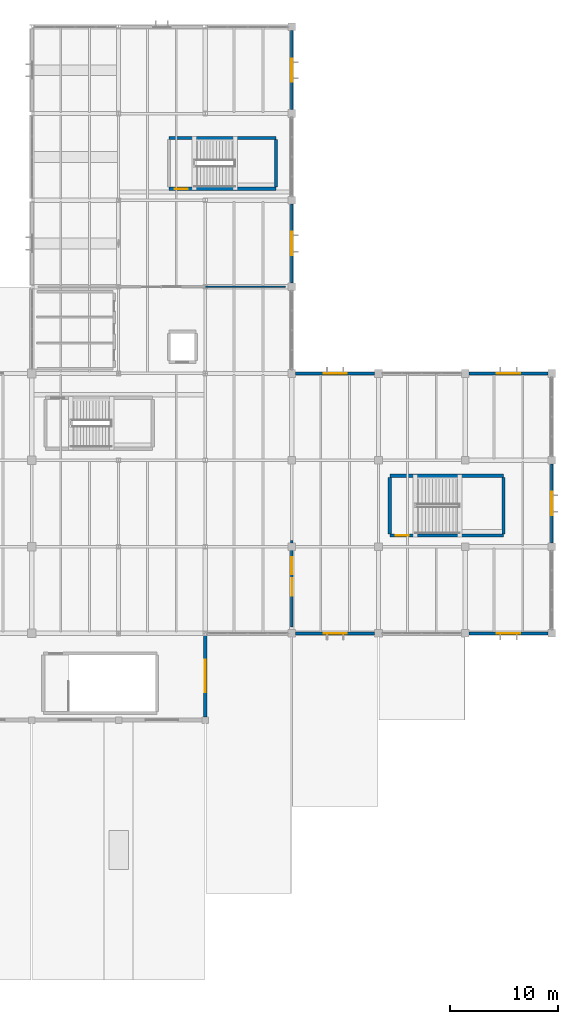
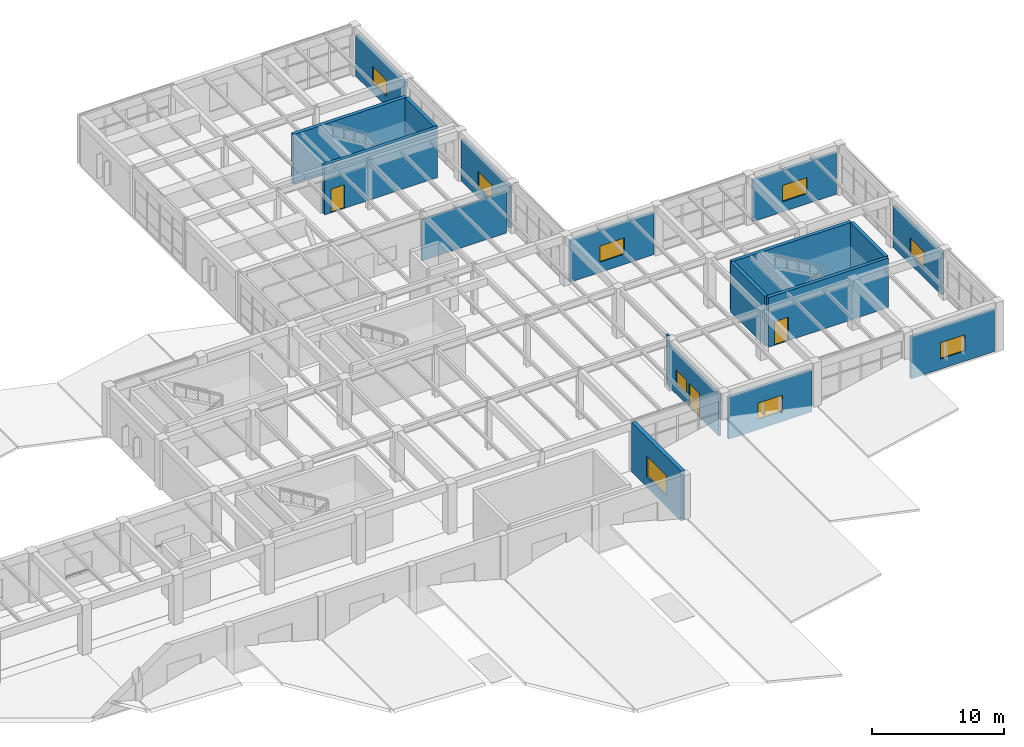
# One storey, part 47 of 60: 18 walls, 9 windows, 3 doors, 12 openings.
"""IFC4 building model written with IfcOpenShell, lengths in metres."""

from ifc_helpers import new_model, si_unit, direction, frame, frame_2d, origin, place, context, subcontext, project, spatial, rectangle, extrude, material, layer, layer_set, type_object, element, fill, save


model = new_model("IFC4")

# Units and contexts
model_context = context("Model", 3, precision=1e-05, world=origin(), true_north=direction((0.0, 1.0)))
body_context = subcontext(model_context, "Body", "Model", "MODEL_VIEW")
ifc_project = project(units=[si_unit("LENGTHUNIT", "METRE"), si_unit("AREAUNIT", "SQUARE_METRE"), si_unit("VOLUMEUNIT", "CUBIC_METRE"), si_unit("PLANEANGLEUNIT", "RADIAN"), si_unit("MASSUNIT", "GRAM", prefix="KILO")], contexts=[model_context])

# Site, building, storey
site_placement = place(None, origin())
site = spatial("IfcSite", under=ifc_project, at=site_placement, CompositionType="ELEMENT")
building_placement = place(site_placement, origin())
building = spatial("IfcBuilding", under=site, at=building_placement, Name="Varnela Railside Interchange", CompositionType="ELEMENT")
storey_placement = place(building_placement, frame((0.0, 0.0, 6.300048828125)))
storey = spatial("IfcBuildingStorey", under=building, at=storey_placement, Name="L01", CompositionType="ELEMENT", Elevation=6.300048828125)

# Wall, opening, window
ifc_material_1 = material(Name="Concrete C40 precast", Category="concrete")
ifc_layer_1 = layer(ifc_material_1, 0.35009765625)
ifc_layer_set_1 = layer_set([ifc_layer_1], Name="Concrete C40 precast")
wall_type_1 = type_object("IfcWallType", Name="Bus Deck Acoustic Concrete Wall EW-04", PredefinedType="STANDARD", material=ifc_layer_set_1)
wall_1_placement = place(storey_placement, frame((132.0, 37.806396484375, 0.0), z_axis=(0.0, 0.0, 1.0), x_axis=(0.0, -1.0, 0.0)))
wall_1 = element("IfcWall", 1, at=wall_1_placement, inside=storey, type_object=wall_type_1, Name="Bus Deck Acoustic Concrete Wall EW-04 (L01) (WL-0535)", PredefinedType="STANDARD", context=body_context, shape_type="SweptSolid", body=[
    extrude(rectangle(XDim=7.50634765625, YDim=0.35009765625, at=frame_2d((3.753173828125, 0.0))), origin(), (0.0, 0.0, 1.0), 4.599853515625),
])
opening_1_placement = place(wall_1_placement, frame((2.253173828125, 0.0, 0.949951171875)))
opening_1 = element("IfcOpeningElement", 2, at=opening_1_placement, cuts=wall_1, Name="Opening W-046", PredefinedType="OPENING", context=body_context, shape_type="SweptSolid", body=[
    extrude(rectangle(XDim=3.0, YDim=1.89990234375, at=frame_2d((1.5, 0.949951171875))), frame((0.0, 0.18505859375, 0.0), z_axis=(0.0, -1.0, 0.0), x_axis=(1.0, 0.0, 0.0)), (0.0, 0.0, 1.0), 0.3701171875),
])
ifc_material_2 = material(Name="Glass laminated double", Category="glass")
window_type_1 = type_object("IfcWindowType", Name="Bus Overlook Picture Window WN-07", PartitioningType="SINGLE_PANEL", PredefinedType="WINDOW", material=ifc_material_2)
window_1_placement = place(opening_1_placement, origin())
window_1 = element("IfcWindow", 3, at=window_1_placement, inside=storey, type_object=window_type_1, Name="Window W-046", OverallHeight=1.89990234375, OverallWidth=3.0, PartitioningType="SINGLE_PANEL", PredefinedType="WINDOW", context=body_context, shape_type="SweptSolid", body=[
    extrude(rectangle(XDim=3.0, YDim=1.89990234375, at=frame_2d((1.5, 0.949951171875))), frame((0.0, 0.030029296875, 0.0), z_axis=(0.0, -1.0, 0.0), x_axis=(1.0, 0.0, 0.0)), (0.0, 0.0, 1.0), 0.06005859375),
])
fill(opening_1, window_1)

# Wall, openings, door, window
ifc_material_3 = material(Name="Gypsum acoustic board")
ifc_layer_2 = layer(ifc_material_3, 0.179931640625)
ifc_layer_set_2 = layer_set([ifc_layer_2], Name="Gypsum acoustic board")
wall_type_2 = type_object("IfcWallType", Name="Double-Stud Corridor Wall IW-02", PredefinedType="PARTITIONING", material=ifc_layer_set_2)
wall_2_placement = place(storey_placement, frame((140.0, 38.60009765625, 0.0), z_axis=(0.0, 0.0, 1.0), x_axis=(0.0, 1.0, 0.0)))
wall_2 = element("IfcWall", 4, at=wall_2_placement, inside=storey, type_object=wall_type_2, Name="Double-Stud Corridor Wall IW-02 (L01) (WL-0553)", PredefinedType="PARTITIONING", context=body_context, shape_type="SweptSolid", body=[
    extrude(rectangle(XDim=7.75, YDim=0.199951171875, at=frame_2d((3.875, 0.0))), origin(), (0.0, 0.0, 1.0), 3.849853515625),
])
opening_2_placement = place(wall_2_placement, frame((2.89990234375, 0.0, 0.0)))
opening_2 = element("IfcOpeningElement", 5, at=opening_2_placement, cuts=wall_2, Name="Opening D-204", PredefinedType="OPENING", context=body_context, shape_type="SweptSolid", body=[
    extrude(rectangle(XDim=1.60009765625, YDim=2.199951171875, at=frame_2d((0.800048828125, 1.10009765625))), frame((0.0, 0.10986328125, 0.0), z_axis=(0.0, -1.0, 0.0), x_axis=(1.0, 0.0, 0.0)), (0.0, 0.0, 1.0), 0.219970703125),
])
opening_3_placement = place(wall_2_placement, frame((4.85009765625, 0.0, 0.949951171875)))
opening_3 = element("IfcOpeningElement", 6, at=opening_3_placement, cuts=wall_2, Name="Opening IW-007", PredefinedType="OPENING", context=body_context, shape_type="SweptSolid", body=[
    extrude(rectangle(XDim=1.60009765625, YDim=1.300048828125, at=frame_2d((0.800048828125, 0.64990234375))), frame((0.0, 0.10986328125, 0.0), z_axis=(0.0, -1.0, 0.0), x_axis=(1.0, 0.0, 0.0)), (0.0, 0.0, 1.0), 0.219970703125),
])
door_type_1 = type_object("IfcDoorType", Name="DR-DBL-1600", OperationType="DOUBLE_DOOR_SINGLE_SWING", PredefinedType="DOOR", material=ifc_material_2)
door_1_placement = place(opening_2_placement, origin())
door_1 = element("IfcDoor", 7, at=door_1_placement, inside=storey, type_object=door_type_1, Name="Door D-204", OperationType="DOUBLE_DOOR_SINGLE_SWING", OverallHeight=2.199951171875, OverallWidth=1.60009765625, PredefinedType="DOOR", context=body_context, shape_type="SweptSolid", body=[
    extrude(rectangle(XDim=1.60009765625, YDim=2.199951171875, at=frame_2d((0.800048828125, 1.10009765625))), frame((0.0, 0.02490234375, 0.0), z_axis=(0.0, -1.0, 0.0), x_axis=(1.0, 0.0, 0.0)), (0.0, 0.0, 1.0), 0.050048828125),
])
fill(opening_2, door_1)
window_type_2 = type_object("IfcWindowType", Name="Interior Acoustic Vision Window IW-WN1", PartitioningType="SINGLE_PANEL", PredefinedType="WINDOW", material=ifc_material_2)
window_2_placement = place(opening_3_placement, origin())
window_2 = element("IfcWindow", 8, at=window_2_placement, inside=storey, type_object=window_type_2, Name="Window IW-007", OverallHeight=1.300048828125, OverallWidth=1.60009765625, PartitioningType="SINGLE_PANEL", PredefinedType="WINDOW", context=body_context, shape_type="SweptSolid", body=[
    extrude(rectangle(XDim=1.60009765625, YDim=1.300048828125, at=frame_2d((0.800048828125, 0.64990234375))), frame((0.0, 0.030029296875, 0.0), z_axis=(0.0, -1.0, 0.0), x_axis=(1.0, 0.0, 0.0)), (0.0, 0.0, 1.0), 0.06005859375),
])
fill(opening_3, window_2)

# Walls
wall_3_placement = place(storey_placement, frame((140.0, 46.35009765625, 0.0), z_axis=(0.0, 0.0, 1.0), x_axis=(0.0, 1.0, 0.0)))
element("IfcWall", 9, at=wall_3_placement, inside=storey, type_object=wall_type_2, Name="Double-Stud Corridor Wall IW-02 (L01) (WL-0554)", PredefinedType="PARTITIONING", context=body_context, shape_type="SweptSolid", body=[
    extrude(rectangle(XDim=0.25, YDim=0.199951171875, at=frame_2d((0.125, 0.0))), origin(), (0.0, 0.0, 1.0), 4.599853515625),
])
ifc_layer_3 = layer(ifc_material_2, 0.1201171875)
ifc_layer_set_3 = layer_set([ifc_layer_3], Name="Glass laminated double")
wall_type_3 = type_object("IfcWallType", Name="Glazed Operations Partition IW-03", PredefinedType="PARTITIONING", material=ifc_layer_set_3)
wall_4_placement = place(storey_placement, frame((132.0, 70.0, 0.0), z_axis=(0.0, 0.0, 1.0), x_axis=(1.0, 0.0, 0.0)))
element("IfcWall", 10, at=wall_4_placement, inside=storey, type_object=wall_type_3, Name="Glazed Operations Partition IW-03 (L01) (WL-0562)", PredefinedType="PARTITIONING", context=body_context, shape_type="SweptSolid", body=[
    extrude(rectangle(XDim=7.39990234375, YDim=0.1201171875, at=frame_2d((3.699951171875, 0.0))), origin(), (0.0, 0.0, 1.0), 3.849853515625),
])
ifc_material_4 = material(Name="Concrete C50", Category="concrete")
ifc_layer_4 = layer(ifc_material_4, 0.300048828125)
ifc_layer_set_4 = layer_set([ifc_layer_4], Name="Concrete C50")
wall_type_4 = type_object("IfcWallType", Name="Stair & Lift Shaft Wall SW-03", PredefinedType="SHEAR", material=ifc_layer_set_4)
wall_5_placement = place(storey_placement, frame((128.64990234375, 83.75, 0.0), z_axis=(0.0, 0.0, 1.0), x_axis=(1.0, 0.0, 0.0)))
element("IfcWall", 11, at=wall_5_placement, inside=storey, type_object=wall_type_4, Name="Stair & Lift Shaft Wall SW-03 (L01) (WL-0606)", PredefinedType="SHEAR", context=body_context, shape_type="SweptSolid", body=[
    extrude(rectangle(XDim=9.900146484375, YDim=0.300048828125, at=frame_2d((4.9501953125, 0.0))), origin(), (0.0, 0.0, 1.0), 4.599853515625),
])

# Wall, opening, door
wall_6_placement = place(storey_placement, frame((128.64990234375, 79.050048828125, 0.0), z_axis=(0.0, 0.0, 1.0), x_axis=(1.0, 0.0, 0.0)))
wall_6 = element("IfcWall", 12, at=wall_6_placement, inside=storey, type_object=wall_type_4, Name="Stair & Lift Shaft Wall SW-03 (L01) (WL-0607)", PredefinedType="SHEAR", context=body_context, shape_type="SweptSolid", body=[
    extrude(rectangle(XDim=9.900146484375, YDim=0.300048828125, at=frame_2d((4.9501953125, 0.0))), origin(), (0.0, 0.0, 1.0), 4.599853515625),
])
opening_4_placement = place(wall_6_placement, frame((0.550048828125, 0.0, 0.0)))
opening_4 = element("IfcOpeningElement", 13, at=opening_4_placement, cuts=wall_6, Name="Opening D-188", PredefinedType="OPENING", context=body_context, shape_type="SweptSolid", body=[
    extrude(rectangle(XDim=1.199951171875, YDim=2.199951171875, at=frame_2d((0.60009765625, 1.10009765625))), frame((0.0, 0.159912109375, 0.0), z_axis=(0.0, -1.0, 0.0), x_axis=(1.0, 0.0, 0.0)), (0.0, 0.0, 1.0), 0.320068359375),
])
ifc_material_5 = material(Name="Steel AR 350 (350 MPa)", Category="steel")
door_type_2 = type_object("IfcDoorType", Name="DR-SGL-1200-FD90", OperationType="NOTDEFINED", PredefinedType="DOOR", material=ifc_material_5)
door_2_placement = place(opening_4_placement, origin())
door_2 = element("IfcDoor", 14, at=door_2_placement, inside=storey, type_object=door_type_2, Name="Door D-188", OperationType="SINGLE_SWING_RIGHT", OverallHeight=2.199951171875, OverallWidth=1.199951171875, PredefinedType="DOOR", context=body_context, shape_type="SweptSolid", body=[
    extrude(rectangle(XDim=1.199951171875, YDim=2.199951171875, at=frame_2d((0.60009765625, 1.10009765625))), frame((0.0, 0.02490234375, 0.0), z_axis=(0.0, -1.0, 0.0), x_axis=(1.0, 0.0, 0.0)), (0.0, 0.0, 1.0), 0.050048828125),
])
fill(opening_4, door_2)

# Walls
wall_7_placement = place(storey_placement, frame((138.550048828125, 79.199951171875, 0.0), z_axis=(0.0, 0.0, 1.0), x_axis=(0.0, 1.0, 0.0)))
element("IfcWall", 15, at=wall_7_placement, inside=storey, type_object=wall_type_4, Name="Stair & Lift Shaft Wall SW-03 (L01) (WL-0605)", PredefinedType="SHEAR", context=body_context, shape_type="SweptSolid", body=[
    extrude(rectangle(XDim=4.400146484375, YDim=0.300048828125, at=frame_2d((2.2001953125, 0.0))), origin(), (0.0, 0.0, 1.0), 4.599853515625),
])
wall_8_placement = place(storey_placement, frame((149.050048828125, 52.550048828125, 0.0), z_axis=(0.0, 0.0, 1.0), x_axis=(1.0, 0.0, 0.0)))
element("IfcWall", 16, at=wall_8_placement, inside=storey, type_object=wall_type_4, Name="Stair & Lift Shaft Wall SW-03 (L01) (WL-0610)", PredefinedType="SHEAR", context=body_context, shape_type="SweptSolid", body=[
    extrude(rectangle(XDim=10.5, YDim=0.300048828125, at=frame_2d((5.25, 0.0))), origin(), (0.0, 0.0, 1.0), 4.599853515625),
])

# Wall, opening, door
wall_9_placement = place(storey_placement, frame((149.050048828125, 47.050048828125, 0.0), z_axis=(0.0, 0.0, 1.0), x_axis=(1.0, 0.0, 0.0)))
wall_9 = element("IfcWall", 17, at=wall_9_placement, inside=storey, type_object=wall_type_4, Name="Stair & Lift Shaft Wall SW-03 (L01) (WL-0611)", PredefinedType="SHEAR", context=body_context, shape_type="SweptSolid", body=[
    extrude(rectangle(XDim=10.5, YDim=0.300048828125, at=frame_2d((5.25, 0.0))), origin(), (0.0, 0.0, 1.0), 4.599853515625),
])
opening_5_placement = place(wall_9_placement, frame((0.550048828125, 0.0, 0.0)))
opening_5 = element("IfcOpeningElement", 18, at=opening_5_placement, cuts=wall_9, Name="Opening D-189", PredefinedType="OPENING", context=body_context, shape_type="SweptSolid", body=[
    extrude(rectangle(XDim=1.199951171875, YDim=2.199951171875, at=frame_2d((0.60009765625, 1.10009765625))), frame((0.0, 0.159912109375, 0.0), z_axis=(0.0, -1.0, 0.0), x_axis=(1.0, 0.0, 0.0)), (0.0, 0.0, 1.0), 0.320068359375),
])
door_3_placement = place(opening_5_placement, origin())
door_3 = element("IfcDoor", 19, at=door_3_placement, inside=storey, type_object=door_type_2, Name="Door D-189", OperationType="SINGLE_SWING_LEFT", OverallHeight=2.199951171875, OverallWidth=1.199951171875, PredefinedType="DOOR", context=body_context, shape_type="SweptSolid", body=[
    extrude(rectangle(XDim=1.199951171875, YDim=2.199951171875, at=frame_2d((0.60009765625, 1.10009765625))), frame((0.0, 0.02490234375, 0.0), z_axis=(0.0, -1.0, 0.0), x_axis=(1.0, 0.0, 0.0)), (0.0, 0.0, 1.0), 0.050048828125),
])
fill(opening_5, door_3)

# Walls
for number, where, z_axis, x_axis, name in (
    (20, (149.050048828125, 47.199951171875, 0.0), (0.0, 0.0, 1.0), (0.0, 1.0, 0.0), "Stair & Lift Shaft Wall SW-03 (L01) (WL-0612)"),
    (21, (159.550048828125, 47.199951171875, 0.0), (0.0, 0.0, 1.0), (0.0, 1.0, 0.0), "Stair & Lift Shaft Wall SW-03 (L01) (WL-0609)"),
):
    element("IfcWall", number, at=place(storey_placement, frame(where, z_axis=z_axis, x_axis=x_axis)), inside=storey, type_object=wall_type_4, Name=name, PredefinedType="SHEAR", context=body_context, shape_type="SweptSolid", body=[
        extrude(rectangle(XDim=5.199951171875, YDim=0.300048828125, at=frame_2d((2.60009765625, 0.0))), origin(), (0.0, 0.0, 1.0), 4.599853515625),
    ])

# Wall, opening, window
ifc_layer_5 = layer(ifc_material_1, 0.260009765625)
ifc_layer_set_5 = layer_set([ifc_layer_5], Name="Concrete C40 precast")
wall_type_5 = type_object("IfcWallType", Name="Terracotta Precast Study Facade Wall EW-03", PredefinedType="STANDARD", material=ifc_layer_set_5)
wall_10_placement = place(storey_placement, frame((140.0, 93.64990234375, 0.0), z_axis=(0.0, 0.0, 1.0), x_axis=(0.0, -1.0, 0.0)))
wall_10 = element("IfcWall", 22, at=wall_10_placement, inside=storey, type_object=wall_type_5, Name="Terracotta Precast Study Facade Wall EW-03 (L01) (WL-0528)", PredefinedType="STANDARD", context=body_context, shape_type="SweptSolid", body=[
    extrude(rectangle(XDim=7.2998046875, YDim=0.260009765625, at=frame_2d((3.64990234375, 0.0))), origin(), (0.0, 0.0, 1.0), 3.849853515625),
])
opening_6_placement = place(wall_10_placement, frame((2.574951171875, 0.0, 0.949951171875)))
opening_6 = element("IfcOpeningElement", 23, at=opening_6_placement, cuts=wall_10, Name="Opening W-039", PredefinedType="OPENING", context=body_context, shape_type="SweptSolid", body=[
    extrude(rectangle(XDim=2.14990234375, YDim=1.5, at=frame_2d((1.074951171875, 0.75))), frame((0.0, 0.139892578125, 0.0), z_axis=(0.0, -1.0, 0.0), x_axis=(1.0, 0.0, 0.0)), (0.0, 0.0, 1.0), 0.280029296875),
])
window_type_3 = type_object("IfcWindowType", Name="Cycle Workshop Louvre Win WN-22", PartitioningType="SINGLE_PANEL", PredefinedType="WINDOW", material=ifc_material_2)
window_3_placement = place(opening_6_placement, origin())
window_3 = element("IfcWindow", 24, at=window_3_placement, inside=storey, type_object=window_type_3, Name="Window W-039", OverallHeight=1.5, OverallWidth=2.14990234375, PartitioningType="SINGLE_PANEL", PredefinedType="WINDOW", context=body_context, shape_type="SweptSolid", body=[
    extrude(rectangle(XDim=2.14990234375, YDim=1.5, at=frame_2d((1.074951171875, 0.75))), frame((0.0, 0.030029296875, 0.0), z_axis=(0.0, -1.0, 0.0), x_axis=(1.0, 0.0, 0.0)), (0.0, 0.0, 1.0), 0.06005859375),
])
fill(opening_6, window_3)

wall_11_placement = place(storey_placement, frame((140.0, 77.64990234375, 0.0), z_axis=(0.0, 0.0, 1.0), x_axis=(0.0, -1.0, 0.0)))
wall_11 = element("IfcWall", 25, at=wall_11_placement, inside=storey, type_object=wall_type_5, Name="Terracotta Precast Study Facade Wall EW-03 (L01) (WL-0529)", PredefinedType="STANDARD", context=body_context, shape_type="SweptSolid", body=[
    extrude(rectangle(XDim=7.2998046875, YDim=0.260009765625, at=frame_2d((3.64990234375, 0.0))), origin(), (0.0, 0.0, 1.0), 3.849853515625),
])
opening_7_placement = place(wall_11_placement, frame((2.574951171875, 0.0, 0.949951171875)))
opening_7 = element("IfcOpeningElement", 26, at=opening_7_placement, cuts=wall_11, Name="Opening W-040", PredefinedType="OPENING", context=body_context, shape_type="SweptSolid", body=[
    extrude(rectangle(XDim=2.14990234375, YDim=1.5, at=frame_2d((1.074951171875, 0.75))), frame((0.0, 0.139892578125, 0.0), z_axis=(0.0, -1.0, 0.0), x_axis=(1.0, 0.0, 0.0)), (0.0, 0.0, 1.0), 0.280029296875),
])
window_4_placement = place(opening_7_placement, origin())
window_4 = element("IfcWindow", 27, at=window_4_placement, inside=storey, type_object=window_type_3, Name="Window W-040", OverallHeight=1.5, OverallWidth=2.14990234375, PartitioningType="SINGLE_PANEL", PredefinedType="WINDOW", context=body_context, shape_type="SweptSolid", body=[
    extrude(rectangle(XDim=2.14990234375, YDim=1.5, at=frame_2d((1.074951171875, 0.75))), frame((0.0, 0.030029296875, 0.0), z_axis=(0.0, -1.0, 0.0), x_axis=(1.0, 0.0, 0.0)), (0.0, 0.0, 1.0), 0.06005859375),
])
fill(opening_7, window_4)

wall_12_placement = place(storey_placement, frame((140.35009765625, 62.0, 0.0), z_axis=(0.0, 0.0, 1.0), x_axis=(1.0, 0.0, 0.0)))
wall_12 = element("IfcWall", 28, at=wall_12_placement, inside=storey, type_object=wall_type_5, Name="Terracotta Precast Study Facade Wall EW-03 (L01) (WL-0530)", PredefinedType="STANDARD", context=body_context, shape_type="SweptSolid", body=[
    extrude(rectangle(XDim=7.2998046875, YDim=0.260009765625, at=frame_2d((3.64990234375, 0.0))), origin(), (0.0, 0.0, 1.0), 3.849853515625),
])
opening_8_placement = place(wall_12_placement, frame((2.574951171875, 0.0, 0.949951171875)))
opening_8 = element("IfcOpeningElement", 29, at=opening_8_placement, cuts=wall_12, Name="Opening W-041", PredefinedType="OPENING", context=body_context, shape_type="SweptSolid", body=[
    extrude(rectangle(XDim=2.14990234375, YDim=1.5, at=frame_2d((1.074951171875, 0.75))), frame((0.0, 0.139892578125, 0.0), z_axis=(0.0, -1.0, 0.0), x_axis=(1.0, 0.0, 0.0)), (0.0, 0.0, 1.0), 0.280029296875),
])
window_5_placement = place(opening_8_placement, origin())
window_5 = element("IfcWindow", 30, at=window_5_placement, inside=storey, type_object=window_type_3, Name="Window W-041", OverallHeight=1.5, OverallWidth=2.14990234375, PartitioningType="SINGLE_PANEL", PredefinedType="WINDOW", context=body_context, shape_type="SweptSolid", body=[
    extrude(rectangle(XDim=2.14990234375, YDim=1.5, at=frame_2d((1.074951171875, 0.75))), frame((0.0, 0.030029296875, 0.0), z_axis=(0.0, -1.0, 0.0), x_axis=(1.0, 0.0, 0.0)), (0.0, 0.0, 1.0), 0.06005859375),
])
fill(opening_8, window_5)

wall_13_placement = place(storey_placement, frame((156.35009765625, 62.0, 0.0), z_axis=(0.0, 0.0, 1.0), x_axis=(1.0, 0.0, 0.0)))
wall_13 = element("IfcWall", 31, at=wall_13_placement, inside=storey, type_object=wall_type_5, Name="Terracotta Precast Study Facade Wall EW-03 (L01) (WL-0531)", PredefinedType="STANDARD", context=body_context, shape_type="SweptSolid", body=[
    extrude(rectangle(XDim=7.2998046875, YDim=0.260009765625, at=frame_2d((3.64990234375, 0.0))), origin(), (0.0, 0.0, 1.0), 3.849853515625),
])
opening_9_placement = place(wall_13_placement, frame((2.574951171875, 0.0, 0.949951171875)))
opening_9 = element("IfcOpeningElement", 32, at=opening_9_placement, cuts=wall_13, Name="Opening W-042", PredefinedType="OPENING", context=body_context, shape_type="SweptSolid", body=[
    extrude(rectangle(XDim=2.14990234375, YDim=1.5, at=frame_2d((1.074951171875, 0.75))), frame((0.0, 0.139892578125, 0.0), z_axis=(0.0, -1.0, 0.0), x_axis=(1.0, 0.0, 0.0)), (0.0, 0.0, 1.0), 0.280029296875),
])
window_6_placement = place(opening_9_placement, origin())
window_6 = element("IfcWindow", 33, at=window_6_placement, inside=storey, type_object=window_type_3, Name="Window W-042", OverallHeight=1.5, OverallWidth=2.14990234375, PartitioningType="SINGLE_PANEL", PredefinedType="WINDOW", context=body_context, shape_type="SweptSolid", body=[
    extrude(rectangle(XDim=2.14990234375, YDim=1.5, at=frame_2d((1.074951171875, 0.75))), frame((0.0, 0.030029296875, 0.0), z_axis=(0.0, -1.0, 0.0), x_axis=(1.0, 0.0, 0.0)), (0.0, 0.0, 1.0), 0.06005859375),
])
fill(opening_9, window_6)

wall_14_placement = place(storey_placement, frame((164.0, 53.64990234375, 0.0), z_axis=(0.0, 0.0, 1.0), x_axis=(0.0, -1.0, 0.0)))
wall_14 = element("IfcWall", 34, at=wall_14_placement, inside=storey, type_object=wall_type_5, Name="Terracotta Precast Study Facade Wall EW-03 (L01) (WL-0532)", PredefinedType="STANDARD", context=body_context, shape_type="SweptSolid", body=[
    extrude(rectangle(XDim=7.2998046875, YDim=0.260009765625, at=frame_2d((3.64990234375, 0.0))), origin(), (0.0, 0.0, 1.0), 3.849853515625),
])
opening_10_placement = place(wall_14_placement, frame((2.574951171875, 0.0, 0.949951171875)))
opening_10 = element("IfcOpeningElement", 35, at=opening_10_placement, cuts=wall_14, Name="Opening W-043", PredefinedType="OPENING", context=body_context, shape_type="SweptSolid", body=[
    extrude(rectangle(XDim=2.14990234375, YDim=1.5, at=frame_2d((1.074951171875, 0.75))), frame((0.0, 0.139892578125, 0.0), z_axis=(0.0, -1.0, 0.0), x_axis=(1.0, 0.0, 0.0)), (0.0, 0.0, 1.0), 0.280029296875),
])
window_7_placement = place(opening_10_placement, origin())
window_7 = element("IfcWindow", 36, at=window_7_placement, inside=storey, type_object=window_type_3, Name="Window W-043", OverallHeight=1.5, OverallWidth=2.14990234375, PartitioningType="SINGLE_PANEL", PredefinedType="WINDOW", context=body_context, shape_type="SweptSolid", body=[
    extrude(rectangle(XDim=2.14990234375, YDim=1.5, at=frame_2d((1.074951171875, 0.75))), frame((0.0, 0.030029296875, 0.0), z_axis=(0.0, -1.0, 0.0), x_axis=(1.0, 0.0, 0.0)), (0.0, 0.0, 1.0), 0.06005859375),
])
fill(opening_10, window_7)

wall_15_placement = place(storey_placement, frame((163.64990234375, 38.0, 0.0), z_axis=(0.0, 0.0, 1.0), x_axis=(-1.0, 0.0, 0.0)))
wall_15 = element("IfcWall", 37, at=wall_15_placement, inside=storey, type_object=wall_type_5, Name="Terracotta Precast Study Facade Wall EW-03 (L01) (WL-0533)", PredefinedType="STANDARD", context=body_context, shape_type="SweptSolid", body=[
    extrude(rectangle(XDim=7.2998046875, YDim=0.260009765625, at=frame_2d((3.64990234375, 0.0))), origin(), (0.0, 0.0, 1.0), 3.849853515625),
])
opening_11_placement = place(wall_15_placement, frame((2.574951171875, 0.0, 0.949951171875)))
opening_11 = element("IfcOpeningElement", 38, at=opening_11_placement, cuts=wall_15, Name="Opening W-044", PredefinedType="OPENING", context=body_context, shape_type="SweptSolid", body=[
    extrude(rectangle(XDim=2.14990234375, YDim=1.5, at=frame_2d((1.074951171875, 0.75))), frame((0.0, 0.139892578125, 0.0), z_axis=(0.0, -1.0, 0.0), x_axis=(1.0, 0.0, 0.0)), (0.0, 0.0, 1.0), 0.280029296875),
])
window_8_placement = place(opening_11_placement, origin())
window_8 = element("IfcWindow", 39, at=window_8_placement, inside=storey, type_object=window_type_3, Name="Window W-044", OverallHeight=1.5, OverallWidth=2.14990234375, PartitioningType="SINGLE_PANEL", PredefinedType="WINDOW", context=body_context, shape_type="SweptSolid", body=[
    extrude(rectangle(XDim=2.14990234375, YDim=1.5, at=frame_2d((1.074951171875, 0.75))), frame((0.0, 0.030029296875, 0.0), z_axis=(0.0, -1.0, 0.0), x_axis=(1.0, 0.0, 0.0)), (0.0, 0.0, 1.0), 0.06005859375),
])
fill(opening_11, window_8)

wall_16_placement = place(storey_placement, frame((147.64990234375, 38.0, 0.0), z_axis=(0.0, 0.0, 1.0), x_axis=(-1.0, 0.0, 0.0)))
wall_16 = element("IfcWall", 40, at=wall_16_placement, inside=storey, type_object=wall_type_5, Name="Terracotta Precast Study Facade Wall EW-03 (L01) (WL-0534)", PredefinedType="STANDARD", context=body_context, shape_type="SweptSolid", body=[
    extrude(rectangle(XDim=7.2998046875, YDim=0.260009765625, at=frame_2d((3.64990234375, 0.0))), origin(), (0.0, 0.0, 1.0), 3.849853515625),
])
opening_12_placement = place(wall_16_placement, frame((2.574951171875, 0.0, 0.949951171875)))
opening_12 = element("IfcOpeningElement", 41, at=opening_12_placement, cuts=wall_16, Name="Opening W-045", PredefinedType="OPENING", context=body_context, shape_type="SweptSolid", body=[
    extrude(rectangle(XDim=2.14990234375, YDim=1.5, at=frame_2d((1.074951171875, 0.75))), frame((0.0, 0.139892578125, 0.0), z_axis=(0.0, -1.0, 0.0), x_axis=(1.0, 0.0, 0.0)), (0.0, 0.0, 1.0), 0.280029296875),
])
window_9_placement = place(opening_12_placement, origin())
window_9 = element("IfcWindow", 42, at=window_9_placement, inside=storey, type_object=window_type_3, Name="Window W-045", OverallHeight=1.5, OverallWidth=2.14990234375, PartitioningType="SINGLE_PANEL", PredefinedType="WINDOW", context=body_context, shape_type="SweptSolid", body=[
    extrude(rectangle(XDim=2.14990234375, YDim=1.5, at=frame_2d((1.074951171875, 0.75))), frame((0.0, 0.030029296875, 0.0), z_axis=(0.0, -1.0, 0.0), x_axis=(1.0, 0.0, 0.0)), (0.0, 0.0, 1.0), 0.06005859375),
])
fill(opening_12, window_9)

save(model, "model.ifc")
